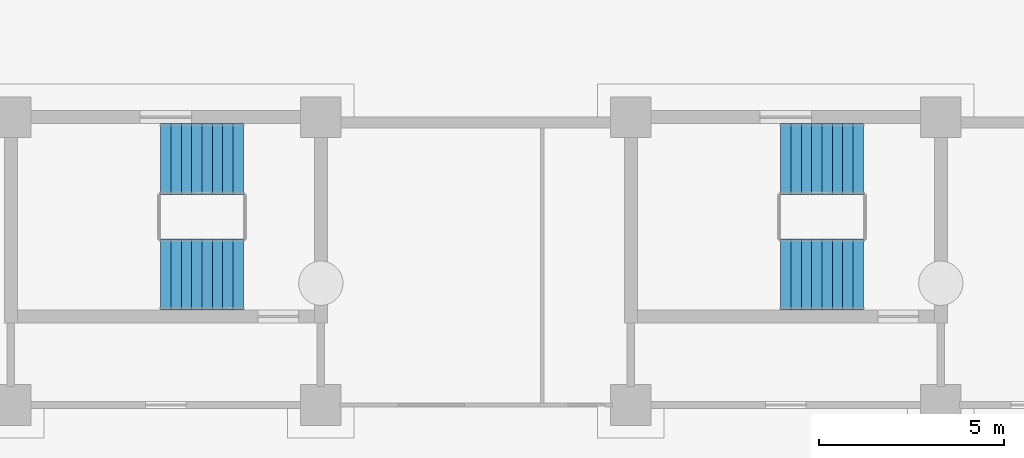
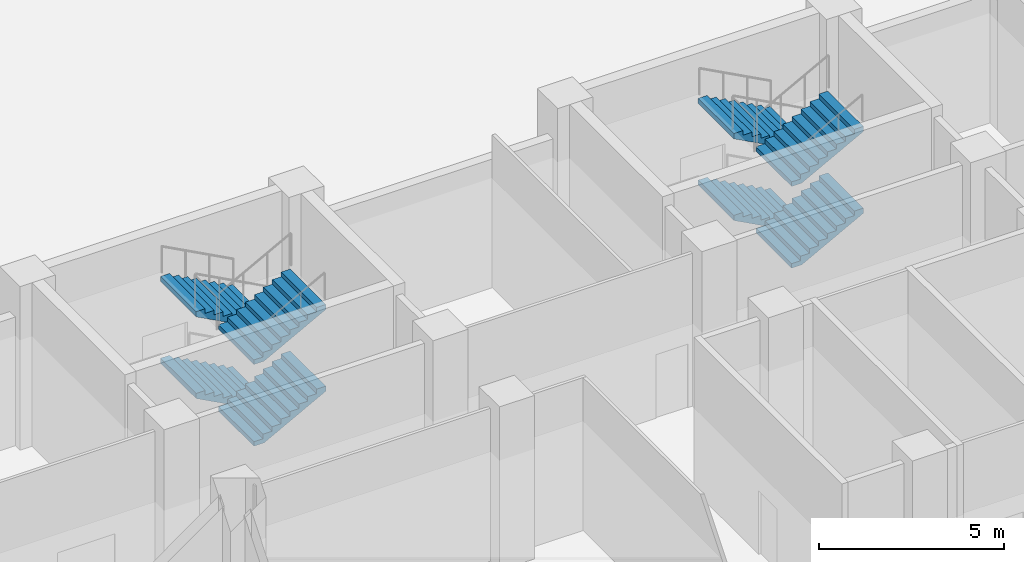
# One storey, part 102 of 146: 8 stair flights, 2 elements without a shape of their own.
"""IFC4 building model written with IfcOpenShell, lengths in metres."""

from ifc_helpers import new_model, si_unit, direction, frame, origin, place, context, subcontext, project, spatial, polyline, outline, extrude, material, type_object, element, aggregate, save


model = new_model("IFC4")

# Units and contexts
model_context = context("Model", 3, precision=1e-05, world=origin(), true_north=direction((0.0, 1.0)))
body_context = subcontext(model_context, "Body", "Model", "MODEL_VIEW")
ifc_project = project(units=[si_unit("LENGTHUNIT", "METRE"), si_unit("AREAUNIT", "SQUARE_METRE"), si_unit("VOLUMEUNIT", "CUBIC_METRE"), si_unit("PLANEANGLEUNIT", "RADIAN"), si_unit("MASSUNIT", "GRAM", prefix="KILO")], contexts=[model_context])

# Site, building, storey
site_placement = place(None, origin())
site = spatial("IfcSite", under=ifc_project, at=site_placement, CompositionType="ELEMENT")
building_placement = place(site_placement, origin())
building = spatial("IfcBuilding", under=site, at=building_placement, Name="Bougainvillea Quay General Hospital", CompositionType="ELEMENT")
storey_placement = place(building_placement, origin())
storey = spatial("IfcBuildingStorey", under=building, at=storey_placement, Name="L00", CompositionType="ELEMENT", Elevation=0.0)

# Stair, stair flights
ifc_material = material(Name="Concrete C35", Category="concrete")
stair_type = type_object("IfcStairType", Name="Stair half-turn 1925 wide", PredefinedType="HALF_TURN_STAIR", material=ifc_material)
stair_1_placement = place(storey_placement, origin())
stair_1 = element("IfcStair", 1, at=stair_1_placement, inside=storey, type_object=stair_type, Name="L00 stair ST-A2", PredefinedType="HALF_TURN_STAIR")
stair_flight_type = type_object("IfcStairFlightType", Name="Stair flight 1925", PredefinedType="STRAIGHT", material=ifc_material)
stair_flight_1_placement = place(storey_placement, frame((90.300048828125, 158.46240234375, 0.0), z_axis=(0.0, 0.0, 1.0), x_axis=(-1.0, 0.0, 0.0)))
stair_flight_1 = element("IfcStairFlight", 2, at=stair_flight_1_placement, type_object=stair_flight_type, Name="ST-A2 flight 1", NumberOfRisers=9, NumberOfTreads=8, PredefinedType="STRAIGHT", RiserHeight=0.15, TreadLength=0.28, context=body_context, shape_type="SweptSolid", body=[
    extrude(outline(polyline([(-0.0029296875, 0.0), (-0.0029296875, 0.003662109375), (-0.0029296875, 0.00732421875), (-0.0029296875, 0.010986328125), (-0.0029296875, 0.0146484375), (-0.0029296875, 0.018310546875), (-0.0029296875, 0.02197265625), (-0.0029296875, 0.025634765625), (-0.0029296875, 0.029296875), (-0.0029296875, 0.032958984375), (-0.0029296875, 0.03662109375), (-0.0029296875, 0.040283203125), (-0.0029296875, 0.0439453125), (-0.0029296875, 0.047607421875), (-0.0029296875, 0.05126953125), (-0.0029296875, 0.054931640625), (-0.0029296875, 0.05859375), (-0.0029296875, 0.062255859375), (-0.0029296875, 0.06591796875), (-0.0029296875, 0.069580078125), (-0.0029296875, 0.0732421875), (-0.0029296875, 0.076904296875), (-0.0029296875, 0.08056640625), (-0.0029296875, 0.084228515625), (-0.0029296875, 0.087890625), (-0.0029296875, 0.091552734375), (-0.0029296875, 0.09521484375), (-0.0029296875, 0.098876953125), (-0.0029296875, 0.1025390625), (-0.0029296875, 0.106201171875), (-0.0029296875, 0.10986328125), (-0.0029296875, 0.113525390625), (-0.0029296875, 0.1171875), (-0.0029296875, 0.120849609375), (-0.0029296875, 0.12451171875), (-0.0029296875, 0.1279296875), (-0.0029296875, 0.131591796875), (-0.0029296875, 0.13525390625), (-0.0029296875, 0.138916015625), (-0.0029296875, 0.142578125), (-0.0029296875, 0.146240234375), (-0.0029296875, 0.14990234375), (0.280029296875, 0.14990234375), (0.280029296875, 0.300048828125), (0.56005859375, 0.300048828125), (0.56005859375, 0.449951171875), (0.840087890625, 0.449951171875), (0.840087890625, 0.60009765625), (1.1201171875, 0.60009765625), (1.1201171875, 0.75), (1.39990234375, 0.75), (1.39990234375, 0.89990234375), (1.679931640625, 0.89990234375), (1.679931640625, 1.050048828125), (1.9599609375, 1.050048828125), (1.9599609375, 1.199951171875), (2.242919921875, 1.199951171875), (2.242919921875, 1.19580078125), (2.242919921875, 1.191650390625), (2.242919921875, 1.1875), (2.242919921875, 1.183349609375), (2.242919921875, 1.17919921875), (2.242919921875, 1.175048828125), (2.242919921875, 1.1708984375), (2.242919921875, 1.166748046875), (2.242919921875, 1.16259765625), (2.242919921875, 1.158447265625), (2.242919921875, 1.154296875), (2.242919921875, 1.150146484375), (2.242919921875, 1.14599609375), (2.242919921875, 1.141845703125), (2.242919921875, 1.1376953125), (2.242919921875, 1.133544921875), (2.242919921875, 1.12939453125), (2.242919921875, 1.125244140625), (2.242919921875, 1.12109375), (2.242919921875, 1.116943359375), (2.242919921875, 1.11279296875), (2.242919921875, 1.108642578125), (2.242919921875, 1.1044921875), (2.242919921875, 1.100341796875), (2.242919921875, 1.09619140625), (2.242919921875, 1.092041015625), (2.242919921875, 1.087890625), (2.242919921875, 1.083984375), (2.242919921875, 1.079833984375), (2.242919921875, 1.07568359375), (2.242919921875, 1.071533203125), (2.242919921875, 1.0673828125), (2.242919921875, 1.063232421875), (2.242919921875, 1.05908203125), (2.242919921875, 1.054931640625), (2.242919921875, 1.05078125), (2.242919921875, 1.046630859375), (2.242919921875, 1.04248046875), (2.242919921875, 1.038330078125), (2.242919921875, 1.0341796875), (2.242919921875, 1.030029296875), (0.3173828125, 0.0), (-0.0029296875, 0.0)])), frame((0.0, 0.96240234375, 0.0), z_axis=(0.0, -1.0, 0.0), x_axis=(1.0, 0.0, 0.0)), (0.0, 0.0, 1.0), 1.925048828125),
])
stair_flight_2_placement = place(storey_placement, frame((88.06005859375, 155.33740234375, 1.35009765625), z_axis=(0.0, 0.0, 1.0), x_axis=(1.0, 0.0, 0.0)))
stair_flight_2 = element("IfcStairFlight", 3, at=stair_flight_2_placement, type_object=stair_flight_type, Name="ST-A2 flight 2", NumberOfRisers=9, NumberOfTreads=8, PredefinedType="STRAIGHT", RiserHeight=0.15, TreadLength=0.28, context=body_context, shape_type="SweptSolid", body=[
    extrude(outline(polyline([(-0.0029296875, 0.0), (-0.0029296875, 0.003662109375), (-0.0029296875, 0.00732421875), (-0.0029296875, 0.010986328125), (-0.0029296875, 0.0146484375), (-0.0029296875, 0.018310546875), (-0.0029296875, 0.02197265625), (-0.0029296875, 0.025634765625), (-0.0029296875, 0.029296875), (-0.0029296875, 0.032958984375), (-0.0029296875, 0.03662109375), (-0.0029296875, 0.040283203125), (-0.0029296875, 0.0439453125), (-0.0029296875, 0.047607421875), (-0.0029296875, 0.05126953125), (-0.0029296875, 0.054931640625), (-0.0029296875, 0.05859375), (-0.0029296875, 0.062255859375), (-0.0029296875, 0.06591796875), (-0.0029296875, 0.069580078125), (-0.0029296875, 0.0732421875), (-0.0029296875, 0.076904296875), (-0.0029296875, 0.08056640625), (-0.0029296875, 0.084228515625), (-0.0029296875, 0.087890625), (-0.0029296875, 0.091552734375), (-0.0029296875, 0.09521484375), (-0.0029296875, 0.098876953125), (-0.0029296875, 0.1025390625), (-0.0029296875, 0.106201171875), (-0.0029296875, 0.10986328125), (-0.0029296875, 0.113525390625), (-0.0029296875, 0.1171875), (-0.0029296875, 0.120849609375), (-0.0029296875, 0.12451171875), (-0.0029296875, 0.1279296875), (-0.0029296875, 0.131591796875), (-0.0029296875, 0.13525390625), (-0.0029296875, 0.138916015625), (-0.0029296875, 0.142578125), (-0.0029296875, 0.146240234375), (-0.0029296875, 0.14990234375), (0.280029296875, 0.14990234375), (0.280029296875, 0.300048828125), (0.56005859375, 0.300048828125), (0.56005859375, 0.449951171875), (0.840087890625, 0.449951171875), (0.840087890625, 0.60009765625), (1.1201171875, 0.60009765625), (1.1201171875, 0.75), (1.39990234375, 0.75), (1.39990234375, 0.89990234375), (1.679931640625, 0.89990234375), (1.679931640625, 1.050048828125), (1.9599609375, 1.050048828125), (1.9599609375, 1.199951171875), (2.242919921875, 1.199951171875), (2.242919921875, 1.19580078125), (2.242919921875, 1.191650390625), (2.242919921875, 1.1875), (2.242919921875, 1.183349609375), (2.242919921875, 1.17919921875), (2.242919921875, 1.175048828125), (2.242919921875, 1.1708984375), (2.242919921875, 1.166748046875), (2.242919921875, 1.16259765625), (2.242919921875, 1.158447265625), (2.242919921875, 1.154296875), (2.242919921875, 1.150146484375), (2.242919921875, 1.14599609375), (2.242919921875, 1.141845703125), (2.242919921875, 1.1376953125), (2.242919921875, 1.133544921875), (2.242919921875, 1.12939453125), (2.242919921875, 1.125244140625), (2.242919921875, 1.12109375), (2.242919921875, 1.116943359375), (2.242919921875, 1.11279296875), (2.242919921875, 1.108642578125), (2.242919921875, 1.1044921875), (2.242919921875, 1.100341796875), (2.242919921875, 1.09619140625), (2.242919921875, 1.092041015625), (2.242919921875, 1.087890625), (2.242919921875, 1.083984375), (2.242919921875, 1.079833984375), (2.242919921875, 1.07568359375), (2.242919921875, 1.071533203125), (2.242919921875, 1.0673828125), (2.242919921875, 1.063232421875), (2.242919921875, 1.05908203125), (2.242919921875, 1.054931640625), (2.242919921875, 1.05078125), (2.242919921875, 1.046630859375), (2.242919921875, 1.04248046875), (2.242919921875, 1.038330078125), (2.242919921875, 1.0341796875), (2.242919921875, 1.030029296875), (0.3173828125, 0.0), (-0.0029296875, 0.0)])), frame((0.0, 0.96240234375, 0.0), z_axis=(0.0, -1.0, 0.0), x_axis=(1.0, 0.0, 0.0)), (0.0, 0.0, 1.0), 1.925048828125),
])
stair_flight_3_placement = place(storey_placement, frame((90.300048828125, 158.46240234375, 2.699951171875), z_axis=(0.0, 0.0, 1.0), x_axis=(-1.0, 0.0, 0.0)))
stair_flight_3 = element("IfcStairFlight", 4, at=stair_flight_3_placement, type_object=stair_flight_type, Name="ST-A2 flight 3", NumberOfRisers=9, NumberOfTreads=8, PredefinedType="STRAIGHT", RiserHeight=0.15, TreadLength=0.28, context=body_context, shape_type="SweptSolid", body=[
    extrude(outline(polyline([(-0.0029296875, 0.0), (-0.0029296875, 0.003662109375), (-0.0029296875, 0.00732421875), (-0.0029296875, 0.010986328125), (-0.0029296875, 0.0146484375), (-0.0029296875, 0.018310546875), (-0.0029296875, 0.02197265625), (-0.0029296875, 0.025634765625), (-0.0029296875, 0.029296875), (-0.0029296875, 0.032958984375), (-0.0029296875, 0.03662109375), (-0.0029296875, 0.040283203125), (-0.0029296875, 0.0439453125), (-0.0029296875, 0.047607421875), (-0.0029296875, 0.05126953125), (-0.0029296875, 0.054931640625), (-0.0029296875, 0.05859375), (-0.0029296875, 0.062255859375), (-0.0029296875, 0.06591796875), (-0.0029296875, 0.069580078125), (-0.0029296875, 0.0732421875), (-0.0029296875, 0.076904296875), (-0.0029296875, 0.08056640625), (-0.0029296875, 0.084228515625), (-0.0029296875, 0.087890625), (-0.0029296875, 0.091552734375), (-0.0029296875, 0.09521484375), (-0.0029296875, 0.098876953125), (-0.0029296875, 0.1025390625), (-0.0029296875, 0.106201171875), (-0.0029296875, 0.10986328125), (-0.0029296875, 0.113525390625), (-0.0029296875, 0.1171875), (-0.0029296875, 0.120849609375), (-0.0029296875, 0.12451171875), (-0.0029296875, 0.1279296875), (-0.0029296875, 0.131591796875), (-0.0029296875, 0.13525390625), (-0.0029296875, 0.138916015625), (-0.0029296875, 0.142578125), (-0.0029296875, 0.146240234375), (-0.0029296875, 0.14990234375), (0.280029296875, 0.14990234375), (0.280029296875, 0.300048828125), (0.56005859375, 0.300048828125), (0.56005859375, 0.449951171875), (0.840087890625, 0.449951171875), (0.840087890625, 0.60009765625), (1.1201171875, 0.60009765625), (1.1201171875, 0.75), (1.39990234375, 0.75), (1.39990234375, 0.89990234375), (1.679931640625, 0.89990234375), (1.679931640625, 1.050048828125), (1.9599609375, 1.050048828125), (1.9599609375, 1.199951171875), (2.242919921875, 1.199951171875), (2.242919921875, 1.19580078125), (2.242919921875, 1.191650390625), (2.242919921875, 1.1875), (2.242919921875, 1.183349609375), (2.242919921875, 1.17919921875), (2.242919921875, 1.175048828125), (2.242919921875, 1.1708984375), (2.242919921875, 1.166748046875), (2.242919921875, 1.16259765625), (2.242919921875, 1.158447265625), (2.242919921875, 1.154296875), (2.242919921875, 1.150146484375), (2.242919921875, 1.14599609375), (2.242919921875, 1.141845703125), (2.242919921875, 1.1376953125), (2.242919921875, 1.133544921875), (2.242919921875, 1.12939453125), (2.242919921875, 1.125244140625), (2.242919921875, 1.12109375), (2.242919921875, 1.116943359375), (2.242919921875, 1.11279296875), (2.242919921875, 1.108642578125), (2.242919921875, 1.1044921875), (2.242919921875, 1.100341796875), (2.242919921875, 1.09619140625), (2.242919921875, 1.092041015625), (2.242919921875, 1.087890625), (2.242919921875, 1.083984375), (2.242919921875, 1.079833984375), (2.242919921875, 1.07568359375), (2.242919921875, 1.071533203125), (2.242919921875, 1.0673828125), (2.242919921875, 1.063232421875), (2.242919921875, 1.05908203125), (2.242919921875, 1.054931640625), (2.242919921875, 1.05078125), (2.242919921875, 1.046630859375), (2.242919921875, 1.04248046875), (2.242919921875, 1.038330078125), (2.242919921875, 1.0341796875), (2.242919921875, 1.030029296875), (0.3173828125, 0.0), (-0.0029296875, 0.0)])), frame((0.0, 0.96240234375, 0.0), z_axis=(0.0, -1.0, 0.0), x_axis=(1.0, 0.0, 0.0)), (0.0, 0.0, 1.0), 1.925048828125),
])
stair_flight_4_placement = place(storey_placement, frame((88.06005859375, 155.33740234375, 4.050048828125), z_axis=(0.0, 0.0, 1.0), x_axis=(1.0, 0.0, 0.0)))
stair_flight_4 = element("IfcStairFlight", 5, at=stair_flight_4_placement, type_object=stair_flight_type, Name="ST-A2 flight 4", NumberOfRisers=9, NumberOfTreads=8, PredefinedType="STRAIGHT", RiserHeight=0.15, TreadLength=0.28, context=body_context, shape_type="SweptSolid", body=[
    extrude(outline(polyline([(-0.0029296875, 0.0), (-0.0029296875, 0.003662109375), (-0.0029296875, 0.00732421875), (-0.0029296875, 0.010986328125), (-0.0029296875, 0.0146484375), (-0.0029296875, 0.018310546875), (-0.0029296875, 0.02197265625), (-0.0029296875, 0.025634765625), (-0.0029296875, 0.029296875), (-0.0029296875, 0.032958984375), (-0.0029296875, 0.03662109375), (-0.0029296875, 0.040283203125), (-0.0029296875, 0.0439453125), (-0.0029296875, 0.047607421875), (-0.0029296875, 0.05126953125), (-0.0029296875, 0.054931640625), (-0.0029296875, 0.05859375), (-0.0029296875, 0.062255859375), (-0.0029296875, 0.06591796875), (-0.0029296875, 0.069580078125), (-0.0029296875, 0.0732421875), (-0.0029296875, 0.076904296875), (-0.0029296875, 0.08056640625), (-0.0029296875, 0.084228515625), (-0.0029296875, 0.087890625), (-0.0029296875, 0.091552734375), (-0.0029296875, 0.09521484375), (-0.0029296875, 0.098876953125), (-0.0029296875, 0.1025390625), (-0.0029296875, 0.106201171875), (-0.0029296875, 0.10986328125), (-0.0029296875, 0.113525390625), (-0.0029296875, 0.1171875), (-0.0029296875, 0.120849609375), (-0.0029296875, 0.12451171875), (-0.0029296875, 0.1279296875), (-0.0029296875, 0.131591796875), (-0.0029296875, 0.13525390625), (-0.0029296875, 0.138916015625), (-0.0029296875, 0.142578125), (-0.0029296875, 0.146240234375), (-0.0029296875, 0.14990234375), (0.280029296875, 0.14990234375), (0.280029296875, 0.300048828125), (0.56005859375, 0.300048828125), (0.56005859375, 0.449951171875), (0.840087890625, 0.449951171875), (0.840087890625, 0.60009765625), (1.1201171875, 0.60009765625), (1.1201171875, 0.75), (1.39990234375, 0.75), (1.39990234375, 0.89990234375), (1.679931640625, 0.89990234375), (1.679931640625, 1.050048828125), (1.9599609375, 1.050048828125), (1.9599609375, 1.199951171875), (2.242919921875, 1.199951171875), (2.242919921875, 1.19580078125), (2.242919921875, 1.191650390625), (2.242919921875, 1.1875), (2.242919921875, 1.183349609375), (2.242919921875, 1.17919921875), (2.242919921875, 1.175048828125), (2.242919921875, 1.1708984375), (2.242919921875, 1.166748046875), (2.242919921875, 1.16259765625), (2.242919921875, 1.158447265625), (2.242919921875, 1.154296875), (2.242919921875, 1.150146484375), (2.242919921875, 1.14599609375), (2.242919921875, 1.141845703125), (2.242919921875, 1.1376953125), (2.242919921875, 1.133544921875), (2.242919921875, 1.12939453125), (2.242919921875, 1.125244140625), (2.242919921875, 1.12109375), (2.242919921875, 1.116943359375), (2.242919921875, 1.11279296875), (2.242919921875, 1.108642578125), (2.242919921875, 1.1044921875), (2.242919921875, 1.100341796875), (2.242919921875, 1.09619140625), (2.242919921875, 1.092041015625), (2.242919921875, 1.087890625), (2.242919921875, 1.083984375), (2.242919921875, 1.079833984375), (2.242919921875, 1.07568359375), (2.242919921875, 1.071533203125), (2.242919921875, 1.0673828125), (2.242919921875, 1.063232421875), (2.242919921875, 1.05908203125), (2.242919921875, 1.054931640625), (2.242919921875, 1.05078125), (2.242919921875, 1.046630859375), (2.242919921875, 1.04248046875), (2.242919921875, 1.038330078125), (2.242919921875, 1.0341796875), (2.242919921875, 1.030029296875), (0.3173828125, 0.0), (-0.0029296875, 0.0)])), frame((0.0, 0.96240234375, 0.0), z_axis=(0.0, -1.0, 0.0), x_axis=(1.0, 0.0, 0.0)), (0.0, 0.0, 1.0), 1.925048828125),
])
aggregate(stair_1, [stair_flight_1, stair_flight_2, stair_flight_3, stair_flight_4])

stair_2_placement = place(storey_placement, origin())
stair_2 = element("IfcStair", 6, at=stair_2_placement, inside=storey, type_object=stair_type, Name="L00 stair ST-A5", PredefinedType="HALF_TURN_STAIR")
stair_flight_5_placement = place(storey_placement, frame((107.10009765625, 158.46240234375, 0.0), z_axis=(0.0, 0.0, 1.0), x_axis=(-1.0, 0.0, 0.0)))
stair_flight_5 = element("IfcStairFlight", 7, at=stair_flight_5_placement, type_object=stair_flight_type, Name="ST-A5 flight 1", NumberOfRisers=9, NumberOfTreads=8, PredefinedType="STRAIGHT", RiserHeight=0.15, TreadLength=0.28, context=body_context, shape_type="SweptSolid", body=[
    extrude(outline(polyline([(-0.0029296875, 0.0), (-0.0029296875, 0.003662109375), (-0.0029296875, 0.00732421875), (-0.0029296875, 0.010986328125), (-0.0029296875, 0.0146484375), (-0.0029296875, 0.018310546875), (-0.0029296875, 0.02197265625), (-0.0029296875, 0.025634765625), (-0.0029296875, 0.029296875), (-0.0029296875, 0.032958984375), (-0.0029296875, 0.03662109375), (-0.0029296875, 0.040283203125), (-0.0029296875, 0.0439453125), (-0.0029296875, 0.047607421875), (-0.0029296875, 0.05126953125), (-0.0029296875, 0.054931640625), (-0.0029296875, 0.05859375), (-0.0029296875, 0.062255859375), (-0.0029296875, 0.06591796875), (-0.0029296875, 0.069580078125), (-0.0029296875, 0.0732421875), (-0.0029296875, 0.076904296875), (-0.0029296875, 0.08056640625), (-0.0029296875, 0.084228515625), (-0.0029296875, 0.087890625), (-0.0029296875, 0.091552734375), (-0.0029296875, 0.09521484375), (-0.0029296875, 0.098876953125), (-0.0029296875, 0.1025390625), (-0.0029296875, 0.106201171875), (-0.0029296875, 0.10986328125), (-0.0029296875, 0.113525390625), (-0.0029296875, 0.1171875), (-0.0029296875, 0.120849609375), (-0.0029296875, 0.12451171875), (-0.0029296875, 0.1279296875), (-0.0029296875, 0.131591796875), (-0.0029296875, 0.13525390625), (-0.0029296875, 0.138916015625), (-0.0029296875, 0.142578125), (-0.0029296875, 0.146240234375), (-0.0029296875, 0.14990234375), (0.280029296875, 0.14990234375), (0.280029296875, 0.300048828125), (0.56005859375, 0.300048828125), (0.56005859375, 0.449951171875), (0.840087890625, 0.449951171875), (0.840087890625, 0.60009765625), (1.1201171875, 0.60009765625), (1.1201171875, 0.75), (1.39990234375, 0.75), (1.39990234375, 0.89990234375), (1.679931640625, 0.89990234375), (1.679931640625, 1.050048828125), (1.9599609375, 1.050048828125), (1.9599609375, 1.199951171875), (2.242919921875, 1.199951171875), (2.242919921875, 1.19580078125), (2.242919921875, 1.191650390625), (2.242919921875, 1.1875), (2.242919921875, 1.183349609375), (2.242919921875, 1.17919921875), (2.242919921875, 1.175048828125), (2.242919921875, 1.1708984375), (2.242919921875, 1.166748046875), (2.242919921875, 1.16259765625), (2.242919921875, 1.158447265625), (2.242919921875, 1.154296875), (2.242919921875, 1.150146484375), (2.242919921875, 1.14599609375), (2.242919921875, 1.141845703125), (2.242919921875, 1.1376953125), (2.242919921875, 1.133544921875), (2.242919921875, 1.12939453125), (2.242919921875, 1.125244140625), (2.242919921875, 1.12109375), (2.242919921875, 1.116943359375), (2.242919921875, 1.11279296875), (2.242919921875, 1.108642578125), (2.242919921875, 1.1044921875), (2.242919921875, 1.100341796875), (2.242919921875, 1.09619140625), (2.242919921875, 1.092041015625), (2.242919921875, 1.087890625), (2.242919921875, 1.083984375), (2.242919921875, 1.079833984375), (2.242919921875, 1.07568359375), (2.242919921875, 1.071533203125), (2.242919921875, 1.0673828125), (2.242919921875, 1.063232421875), (2.242919921875, 1.05908203125), (2.242919921875, 1.054931640625), (2.242919921875, 1.05078125), (2.242919921875, 1.046630859375), (2.242919921875, 1.04248046875), (2.242919921875, 1.038330078125), (2.242919921875, 1.0341796875), (2.242919921875, 1.030029296875), (0.3173828125, 0.0), (-0.0029296875, 0.0)])), frame((0.0, 0.96240234375, 0.0), z_axis=(0.0, -1.0, 0.0), x_axis=(1.0, 0.0, 0.0)), (0.0, 0.0, 1.0), 1.925048828125),
])
stair_flight_6_placement = place(storey_placement, frame((104.860107421875, 155.33740234375, 1.35009765625), z_axis=(0.0, 0.0, 1.0), x_axis=(1.0, 0.0, 0.0)))
stair_flight_6 = element("IfcStairFlight", 8, at=stair_flight_6_placement, type_object=stair_flight_type, Name="ST-A5 flight 2", NumberOfRisers=9, NumberOfTreads=8, PredefinedType="STRAIGHT", RiserHeight=0.15, TreadLength=0.28, context=body_context, shape_type="SweptSolid", body=[
    extrude(outline(polyline([(-0.0029296875, 0.0), (-0.0029296875, 0.003662109375), (-0.0029296875, 0.00732421875), (-0.0029296875, 0.010986328125), (-0.0029296875, 0.0146484375), (-0.0029296875, 0.018310546875), (-0.0029296875, 0.02197265625), (-0.0029296875, 0.025634765625), (-0.0029296875, 0.029296875), (-0.0029296875, 0.032958984375), (-0.0029296875, 0.03662109375), (-0.0029296875, 0.040283203125), (-0.0029296875, 0.0439453125), (-0.0029296875, 0.047607421875), (-0.0029296875, 0.05126953125), (-0.0029296875, 0.054931640625), (-0.0029296875, 0.05859375), (-0.0029296875, 0.062255859375), (-0.0029296875, 0.06591796875), (-0.0029296875, 0.069580078125), (-0.0029296875, 0.0732421875), (-0.0029296875, 0.076904296875), (-0.0029296875, 0.08056640625), (-0.0029296875, 0.084228515625), (-0.0029296875, 0.087890625), (-0.0029296875, 0.091552734375), (-0.0029296875, 0.09521484375), (-0.0029296875, 0.098876953125), (-0.0029296875, 0.1025390625), (-0.0029296875, 0.106201171875), (-0.0029296875, 0.10986328125), (-0.0029296875, 0.113525390625), (-0.0029296875, 0.1171875), (-0.0029296875, 0.120849609375), (-0.0029296875, 0.12451171875), (-0.0029296875, 0.1279296875), (-0.0029296875, 0.131591796875), (-0.0029296875, 0.13525390625), (-0.0029296875, 0.138916015625), (-0.0029296875, 0.142578125), (-0.0029296875, 0.146240234375), (-0.0029296875, 0.14990234375), (0.280029296875, 0.14990234375), (0.280029296875, 0.300048828125), (0.56005859375, 0.300048828125), (0.56005859375, 0.449951171875), (0.840087890625, 0.449951171875), (0.840087890625, 0.60009765625), (1.1201171875, 0.60009765625), (1.1201171875, 0.75), (1.39990234375, 0.75), (1.39990234375, 0.89990234375), (1.679931640625, 0.89990234375), (1.679931640625, 1.050048828125), (1.9599609375, 1.050048828125), (1.9599609375, 1.199951171875), (2.242919921875, 1.199951171875), (2.242919921875, 1.19580078125), (2.242919921875, 1.191650390625), (2.242919921875, 1.1875), (2.242919921875, 1.183349609375), (2.242919921875, 1.17919921875), (2.242919921875, 1.175048828125), (2.242919921875, 1.1708984375), (2.242919921875, 1.166748046875), (2.242919921875, 1.16259765625), (2.242919921875, 1.158447265625), (2.242919921875, 1.154296875), (2.242919921875, 1.150146484375), (2.242919921875, 1.14599609375), (2.242919921875, 1.141845703125), (2.242919921875, 1.1376953125), (2.242919921875, 1.133544921875), (2.242919921875, 1.12939453125), (2.242919921875, 1.125244140625), (2.242919921875, 1.12109375), (2.242919921875, 1.116943359375), (2.242919921875, 1.11279296875), (2.242919921875, 1.108642578125), (2.242919921875, 1.1044921875), (2.242919921875, 1.100341796875), (2.242919921875, 1.09619140625), (2.242919921875, 1.092041015625), (2.242919921875, 1.087890625), (2.242919921875, 1.083984375), (2.242919921875, 1.079833984375), (2.242919921875, 1.07568359375), (2.242919921875, 1.071533203125), (2.242919921875, 1.0673828125), (2.242919921875, 1.063232421875), (2.242919921875, 1.05908203125), (2.242919921875, 1.054931640625), (2.242919921875, 1.05078125), (2.242919921875, 1.046630859375), (2.242919921875, 1.04248046875), (2.242919921875, 1.038330078125), (2.242919921875, 1.0341796875), (2.242919921875, 1.030029296875), (0.3173828125, 0.0), (-0.0029296875, 0.0)])), frame((0.0, 0.96240234375, 0.0), z_axis=(0.0, -1.0, 0.0), x_axis=(1.0, 0.0, 0.0)), (0.0, 0.0, 1.0), 1.925048828125),
])
stair_flight_7_placement = place(storey_placement, frame((107.10009765625, 158.46240234375, 2.699951171875), z_axis=(0.0, 0.0, 1.0), x_axis=(-1.0, 0.0, 0.0)))
stair_flight_7 = element("IfcStairFlight", 9, at=stair_flight_7_placement, type_object=stair_flight_type, Name="ST-A5 flight 3", NumberOfRisers=9, NumberOfTreads=8, PredefinedType="STRAIGHT", RiserHeight=0.15, TreadLength=0.28, context=body_context, shape_type="SweptSolid", body=[
    extrude(outline(polyline([(-0.0029296875, 0.0), (-0.0029296875, 0.003662109375), (-0.0029296875, 0.00732421875), (-0.0029296875, 0.010986328125), (-0.0029296875, 0.0146484375), (-0.0029296875, 0.018310546875), (-0.0029296875, 0.02197265625), (-0.0029296875, 0.025634765625), (-0.0029296875, 0.029296875), (-0.0029296875, 0.032958984375), (-0.0029296875, 0.03662109375), (-0.0029296875, 0.040283203125), (-0.0029296875, 0.0439453125), (-0.0029296875, 0.047607421875), (-0.0029296875, 0.05126953125), (-0.0029296875, 0.054931640625), (-0.0029296875, 0.05859375), (-0.0029296875, 0.062255859375), (-0.0029296875, 0.06591796875), (-0.0029296875, 0.069580078125), (-0.0029296875, 0.0732421875), (-0.0029296875, 0.076904296875), (-0.0029296875, 0.08056640625), (-0.0029296875, 0.084228515625), (-0.0029296875, 0.087890625), (-0.0029296875, 0.091552734375), (-0.0029296875, 0.09521484375), (-0.0029296875, 0.098876953125), (-0.0029296875, 0.1025390625), (-0.0029296875, 0.106201171875), (-0.0029296875, 0.10986328125), (-0.0029296875, 0.113525390625), (-0.0029296875, 0.1171875), (-0.0029296875, 0.120849609375), (-0.0029296875, 0.12451171875), (-0.0029296875, 0.1279296875), (-0.0029296875, 0.131591796875), (-0.0029296875, 0.13525390625), (-0.0029296875, 0.138916015625), (-0.0029296875, 0.142578125), (-0.0029296875, 0.146240234375), (-0.0029296875, 0.14990234375), (0.280029296875, 0.14990234375), (0.280029296875, 0.300048828125), (0.56005859375, 0.300048828125), (0.56005859375, 0.449951171875), (0.840087890625, 0.449951171875), (0.840087890625, 0.60009765625), (1.1201171875, 0.60009765625), (1.1201171875, 0.75), (1.39990234375, 0.75), (1.39990234375, 0.89990234375), (1.679931640625, 0.89990234375), (1.679931640625, 1.050048828125), (1.9599609375, 1.050048828125), (1.9599609375, 1.199951171875), (2.242919921875, 1.199951171875), (2.242919921875, 1.19580078125), (2.242919921875, 1.191650390625), (2.242919921875, 1.1875), (2.242919921875, 1.183349609375), (2.242919921875, 1.17919921875), (2.242919921875, 1.175048828125), (2.242919921875, 1.1708984375), (2.242919921875, 1.166748046875), (2.242919921875, 1.16259765625), (2.242919921875, 1.158447265625), (2.242919921875, 1.154296875), (2.242919921875, 1.150146484375), (2.242919921875, 1.14599609375), (2.242919921875, 1.141845703125), (2.242919921875, 1.1376953125), (2.242919921875, 1.133544921875), (2.242919921875, 1.12939453125), (2.242919921875, 1.125244140625), (2.242919921875, 1.12109375), (2.242919921875, 1.116943359375), (2.242919921875, 1.11279296875), (2.242919921875, 1.108642578125), (2.242919921875, 1.1044921875), (2.242919921875, 1.100341796875), (2.242919921875, 1.09619140625), (2.242919921875, 1.092041015625), (2.242919921875, 1.087890625), (2.242919921875, 1.083984375), (2.242919921875, 1.079833984375), (2.242919921875, 1.07568359375), (2.242919921875, 1.071533203125), (2.242919921875, 1.0673828125), (2.242919921875, 1.063232421875), (2.242919921875, 1.05908203125), (2.242919921875, 1.054931640625), (2.242919921875, 1.05078125), (2.242919921875, 1.046630859375), (2.242919921875, 1.04248046875), (2.242919921875, 1.038330078125), (2.242919921875, 1.0341796875), (2.242919921875, 1.030029296875), (0.3173828125, 0.0), (-0.0029296875, 0.0)])), frame((0.0, 0.96240234375, 0.0), z_axis=(0.0, -1.0, 0.0), x_axis=(1.0, 0.0, 0.0)), (0.0, 0.0, 1.0), 1.925048828125),
])
stair_flight_8_placement = place(storey_placement, frame((104.860107421875, 155.33740234375, 4.050048828125), z_axis=(0.0, 0.0, 1.0), x_axis=(1.0, 0.0, 0.0)))
stair_flight_8 = element("IfcStairFlight", 10, at=stair_flight_8_placement, type_object=stair_flight_type, Name="ST-A5 flight 4", NumberOfRisers=9, NumberOfTreads=8, PredefinedType="STRAIGHT", RiserHeight=0.15, TreadLength=0.28, context=body_context, shape_type="SweptSolid", body=[
    extrude(outline(polyline([(-0.0029296875, 0.0), (-0.0029296875, 0.003662109375), (-0.0029296875, 0.00732421875), (-0.0029296875, 0.010986328125), (-0.0029296875, 0.0146484375), (-0.0029296875, 0.018310546875), (-0.0029296875, 0.02197265625), (-0.0029296875, 0.025634765625), (-0.0029296875, 0.029296875), (-0.0029296875, 0.032958984375), (-0.0029296875, 0.03662109375), (-0.0029296875, 0.040283203125), (-0.0029296875, 0.0439453125), (-0.0029296875, 0.047607421875), (-0.0029296875, 0.05126953125), (-0.0029296875, 0.054931640625), (-0.0029296875, 0.05859375), (-0.0029296875, 0.062255859375), (-0.0029296875, 0.06591796875), (-0.0029296875, 0.069580078125), (-0.0029296875, 0.0732421875), (-0.0029296875, 0.076904296875), (-0.0029296875, 0.08056640625), (-0.0029296875, 0.084228515625), (-0.0029296875, 0.087890625), (-0.0029296875, 0.091552734375), (-0.0029296875, 0.09521484375), (-0.0029296875, 0.098876953125), (-0.0029296875, 0.1025390625), (-0.0029296875, 0.106201171875), (-0.0029296875, 0.10986328125), (-0.0029296875, 0.113525390625), (-0.0029296875, 0.1171875), (-0.0029296875, 0.120849609375), (-0.0029296875, 0.12451171875), (-0.0029296875, 0.1279296875), (-0.0029296875, 0.131591796875), (-0.0029296875, 0.13525390625), (-0.0029296875, 0.138916015625), (-0.0029296875, 0.142578125), (-0.0029296875, 0.146240234375), (-0.0029296875, 0.14990234375), (0.280029296875, 0.14990234375), (0.280029296875, 0.300048828125), (0.56005859375, 0.300048828125), (0.56005859375, 0.449951171875), (0.840087890625, 0.449951171875), (0.840087890625, 0.60009765625), (1.1201171875, 0.60009765625), (1.1201171875, 0.75), (1.39990234375, 0.75), (1.39990234375, 0.89990234375), (1.679931640625, 0.89990234375), (1.679931640625, 1.050048828125), (1.9599609375, 1.050048828125), (1.9599609375, 1.199951171875), (2.242919921875, 1.199951171875), (2.242919921875, 1.19580078125), (2.242919921875, 1.191650390625), (2.242919921875, 1.1875), (2.242919921875, 1.183349609375), (2.242919921875, 1.17919921875), (2.242919921875, 1.175048828125), (2.242919921875, 1.1708984375), (2.242919921875, 1.166748046875), (2.242919921875, 1.16259765625), (2.242919921875, 1.158447265625), (2.242919921875, 1.154296875), (2.242919921875, 1.150146484375), (2.242919921875, 1.14599609375), (2.242919921875, 1.141845703125), (2.242919921875, 1.1376953125), (2.242919921875, 1.133544921875), (2.242919921875, 1.12939453125), (2.242919921875, 1.125244140625), (2.242919921875, 1.12109375), (2.242919921875, 1.116943359375), (2.242919921875, 1.11279296875), (2.242919921875, 1.108642578125), (2.242919921875, 1.1044921875), (2.242919921875, 1.100341796875), (2.242919921875, 1.09619140625), (2.242919921875, 1.092041015625), (2.242919921875, 1.087890625), (2.242919921875, 1.083984375), (2.242919921875, 1.079833984375), (2.242919921875, 1.07568359375), (2.242919921875, 1.071533203125), (2.242919921875, 1.0673828125), (2.242919921875, 1.063232421875), (2.242919921875, 1.05908203125), (2.242919921875, 1.054931640625), (2.242919921875, 1.05078125), (2.242919921875, 1.046630859375), (2.242919921875, 1.04248046875), (2.242919921875, 1.038330078125), (2.242919921875, 1.0341796875), (2.242919921875, 1.030029296875), (0.3173828125, 0.0), (-0.0029296875, 0.0)])), frame((0.0, 0.96240234375, 0.0), z_axis=(0.0, -1.0, 0.0), x_axis=(1.0, 0.0, 0.0)), (0.0, 0.0, 1.0), 1.925048828125),
])
aggregate(stair_2, [stair_flight_5, stair_flight_6, stair_flight_7, stair_flight_8])

save(model, "model.ifc")
